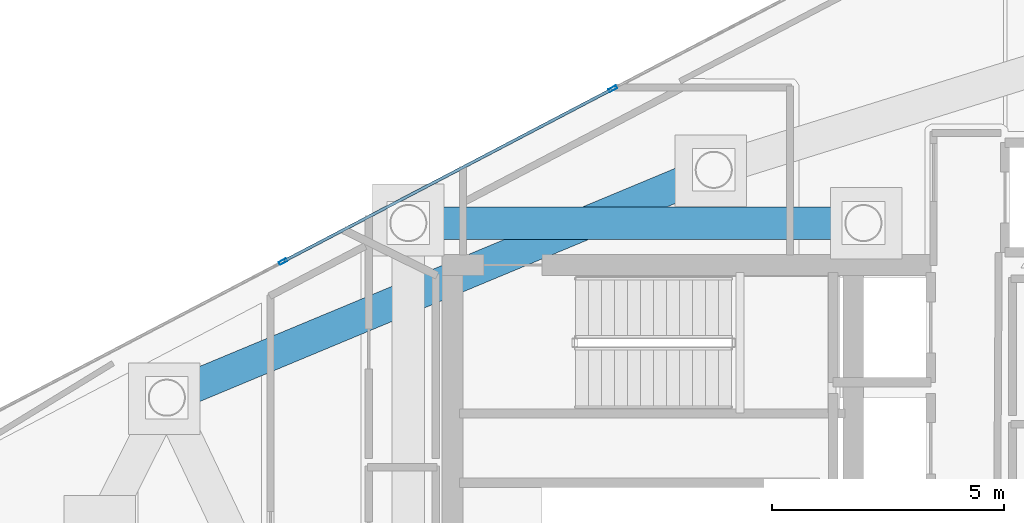
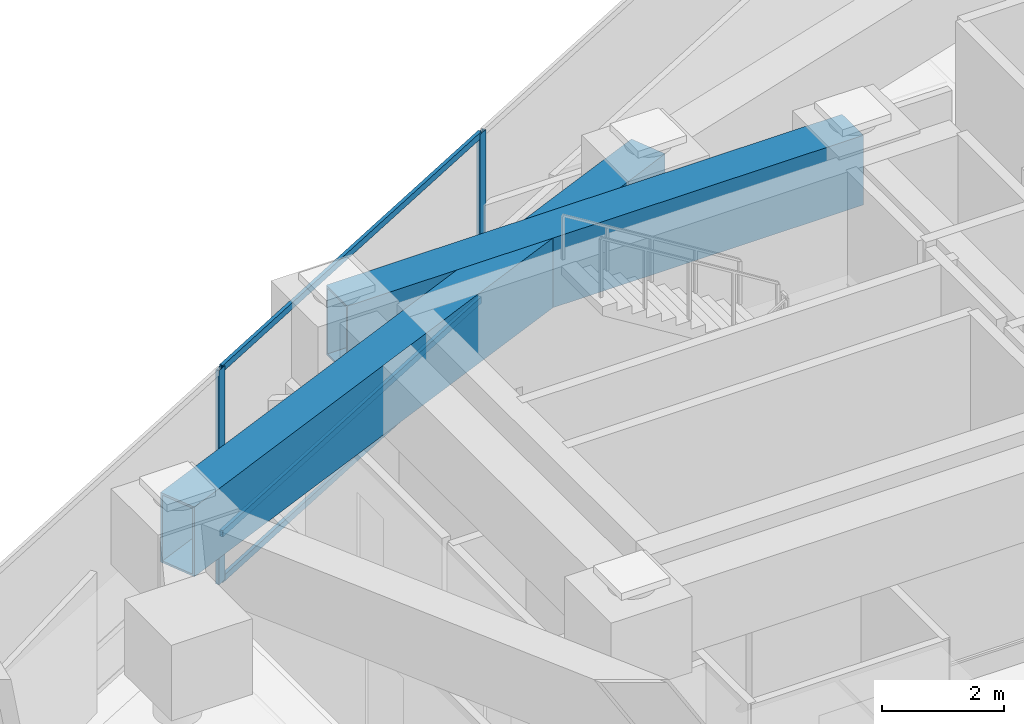
# One storey, part 8 of 17: 5 members, 2 beams, 1 element without a shape of its own.
"""IFC4 building model written with IfcOpenShell, lengths in metres."""

from ifc_helpers import new_model, si_unit, direction, frame, origin, origin_2d, place, context, subcontext, project, spatial, hollow_rectangle, extrude, material, layer, layer_set, material_profile, profile_set, type_object, element, aggregate, save


model = new_model("IFC4")

# Units and contexts
model_context = context("Model", 3, precision=1e-05, world=origin(), true_north=direction((0.0, 1.0)))
body_context = subcontext(model_context, "Body", "Model", "MODEL_VIEW")
ifc_project = project(units=[si_unit("LENGTHUNIT", "METRE"), si_unit("AREAUNIT", "SQUARE_METRE"), si_unit("VOLUMEUNIT", "CUBIC_METRE"), si_unit("PLANEANGLEUNIT", "RADIAN"), si_unit("MASSUNIT", "GRAM", prefix="KILO")], contexts=[model_context])

# Site, building, storey
site_placement = place(None, origin())
site = spatial("IfcSite", under=ifc_project, at=site_placement, CompositionType="ELEMENT")
building_placement = place(site_placement, origin())
building = spatial("IfcBuilding", under=site, at=building_placement, Name="Qianvela Tower", CompositionType="ELEMENT")
storey_placement = place(building_placement, frame((0.0, 0.0, 351.800048828125)))
storey = spatial("IfcBuildingStorey", under=building, at=storey_placement, Name="L91", CompositionType="ELEMENT", Elevation=351.800048828125)

# Beams
ifc_material_1 = material(Name="Steel Q420GJC", Category="steel")
ifc_material_profile_1 = material_profile(ifc_material_1, hollow_rectangle(XDim=0.699951171875, YDim=1.39990234375, WallThickness=0.0400390625, at=origin_2d()), Name="TG-BOX-1400x700x40")
ifc_profile_set_1 = profile_set([ifc_material_profile_1], Name="Steel Q420GJC")
beam_type = type_object("IfcBeamType", Name="BM-TG-RAD-1400", PredefinedType="BEAM", material=ifc_profile_set_1)
beam_1_placement = place(storey_placement, frame((28.60009765625, 33.550048828125, 3.597900390625), z_axis=(1.0, 0.0, 0.0), x_axis=(0.0, 1.0, 0.0)))
element("IfcBeam", 1, at=beam_1_placement, inside=storey, type_object=beam_type, Name="L91 Core Ring Transfer Girder 3", PredefinedType="BEAM", context=body_context, shape_type="SweptSolid", body=[
    extrude(hollow_rectangle(XDim=0.699951171875, YDim=1.39990234375, WallThickness=0.0400390625, at=origin_2d()), origin(), (0.0, 0.0, 1.0), 9.7998046875),
])
beam_2_placement = place(storey_placement, frame((35.177001953125, 34.695068359375, 3.597900390625), z_axis=(-0.923108058734, -0.384540650517, 0.0), x_axis=(0.384540650517, -0.923108058734, 0.0)))
element("IfcBeam", 2, at=beam_2_placement, inside=storey, type_object=beam_type, Name="L91 Perimeter Ring Transfer Girder 2", PredefinedType="BEAM", context=body_context, shape_type="SweptSolid", body=[
    extrude(hollow_rectangle(XDim=0.699951171875, YDim=1.39990234375, WallThickness=0.0400390625, at=origin_2d()), origin(), (0.0, 0.0, 1.0), 12.758056640625),
])

# Curtain wall, members
ifc_material_2 = material(Name="Anodised Architectural Aluminium and Low-E Glass", Category="aluminium")
ifc_layer = layer(ifc_material_2, 0.18994140625)
ifc_layer_set = layer_set([ifc_layer], Name="Anodised Architectural Aluminium and Low-E Glass")
curtain_wall_type = type_object("IfcCurtainWallType", Name="CW-SKYLOBBY", PredefinedType="USERDEFINED", material=ifc_layer_set)
curtain_wall_placement = place(storey_placement, origin())
curtain_wall = element("IfcCurtainWall", 3, at=curtain_wall_placement, inside=storey, type_object=curtain_wall_type, Name="L91 CW-SKYLOBBY Curtain Wall 02", ObjectType="CURTAIN_WALL_SYSTEM", PredefinedType="USERDEFINED")
ifc_material_3 = material(Name="Anodised Architectural Aluminium 6063-T6", Category="aluminium")
ifc_material_profile_2 = material_profile(ifc_material_3, hollow_rectangle(XDim=0.070068359375, YDim=0.179931640625, WallThickness=0.0048828125, at=origin_2d()), Name="ALU-MULL-70x180")
ifc_profile_set_2 = profile_set([ifc_material_profile_2], Name="Anodised Architectural Aluminium 6063-T6")
member_type_1 = type_object("IfcMemberType", Name="CW-SKYLOBBY-MULL", PredefinedType="MULLION", material=ifc_profile_set_2)
member_1_placement = place(storey_placement, frame((33.006103515625, 36.439697265625, 0.0), z_axis=(0.0, 0.0, 1.0), x_axis=(0.463889947302, -0.885892835953, 0.0)))
member_1 = element("IfcMember", 4, at=member_1_placement, type_object=member_type_1, Name="CW-7 mullion 4", PredefinedType="MULLION", context=body_context, shape_type="SweptSolid", body=[
    extrude(hollow_rectangle(XDim=0.070068359375, YDim=0.179931640625, WallThickness=0.0048828125, at=origin_2d()), origin(), (0.0, 0.0, 1.0), 4.300048828125),
])
member_2_placement = place(storey_placement, frame((25.901611328125, 32.71923828125, 0.0), z_axis=(0.0, 0.0, 1.0), x_axis=(0.463889947302, -0.885892835953, 0.0)))
member_2 = element("IfcMember", 5, at=member_2_placement, type_object=member_type_1, Name="CW-7 mullion 5", PredefinedType="MULLION", context=body_context, shape_type="SweptSolid", body=[
    extrude(hollow_rectangle(XDim=0.070068359375, YDim=0.179931640625, WallThickness=0.0048828125, at=origin_2d()), origin(), (0.0, 0.0, 1.0), 4.300048828125),
])
ifc_material_4 = material(Name="Anodised Architectural Aluminium 6063-T6", Category="aluminium")
ifc_material_profile_3 = material_profile(ifc_material_4, hollow_rectangle(XDim=0.06494140625, YDim=0.1298828125, WallThickness=0.00439453125, at=origin_2d()), Name="ALU-TRAN-65x130")
ifc_profile_set_3 = profile_set([ifc_material_profile_3], Name="Anodised Architectural Aluminium 6063-T6")
member_type_2 = type_object("IfcMemberType", Name="CW-SKYLOBBY-TRAN", PredefinedType="USERDEFINED", material=ifc_profile_set_3)
member_3_placement = place(storey_placement, frame((32.97509765625, 36.42333984375, 0.032470703125), z_axis=(-0.885892239488, -0.463891086371, 0.0), x_axis=(0.463891086371, -0.885892239488, 0.0)))
member_3 = element("IfcMember", 6, at=member_3_placement, type_object=member_type_2, Name="CW-7 transom 4.1", ObjectType="TRANSOM", PredefinedType="USERDEFINED", context=body_context, shape_type="SweptSolid", body=[
    extrude(hollow_rectangle(XDim=0.06494140625, YDim=0.1298828125, WallThickness=0.00439453125, at=origin_2d()), origin(), (0.0, 0.0, 1.0), 7.94970703125),
])
member_4_placement = place(storey_placement, frame((32.97509765625, 36.42333984375, 0.949951171875), z_axis=(-0.885892239488, -0.463891086371, 0.0), x_axis=(0.463891086371, -0.885892239488, 0.0)))
member_4 = element("IfcMember", 7, at=member_4_placement, type_object=member_type_2, Name="CW-7 transom 4.2", ObjectType="TRANSOM", PredefinedType="USERDEFINED", context=body_context, shape_type="SweptSolid", body=[
    extrude(hollow_rectangle(XDim=0.06494140625, YDim=0.1298828125, WallThickness=0.00439453125, at=origin_2d()), origin(), (0.0, 0.0, 1.0), 7.94970703125),
])
member_5_placement = place(storey_placement, frame((32.97509765625, 36.42333984375, 4.267333984375), z_axis=(-0.885892239488, -0.463891086371, 0.0), x_axis=(0.463891086371, -0.885892239488, 0.0)))
member_5 = element("IfcMember", 8, at=member_5_placement, type_object=member_type_2, Name="CW-7 transom 4.3", ObjectType="TRANSOM", PredefinedType="USERDEFINED", context=body_context, shape_type="SweptSolid", body=[
    extrude(hollow_rectangle(XDim=0.06494140625, YDim=0.1298828125, WallThickness=0.00439453125, at=origin_2d()), origin(), (0.0, 0.0, 1.0), 7.94970703125),
])
aggregate(curtain_wall, [member_1, member_2, member_3, member_4, member_5])

save(model, "model.ifc")
